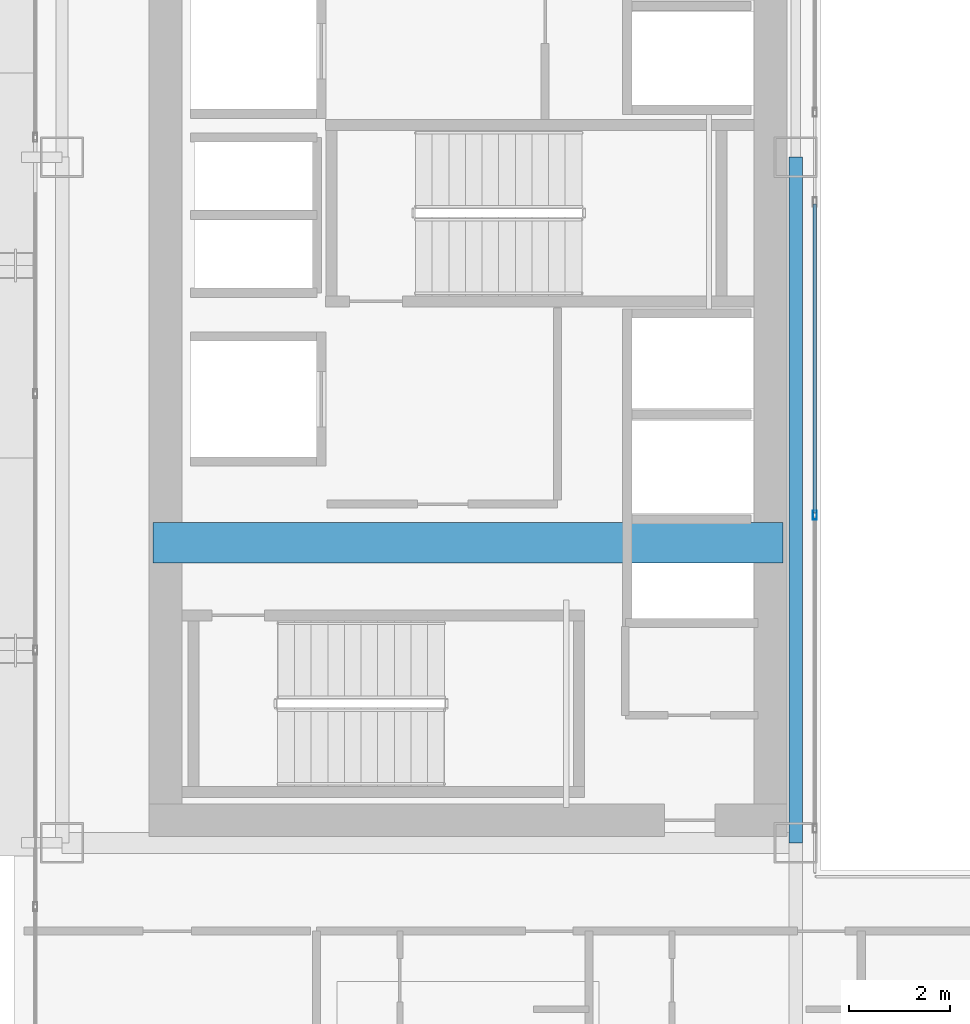
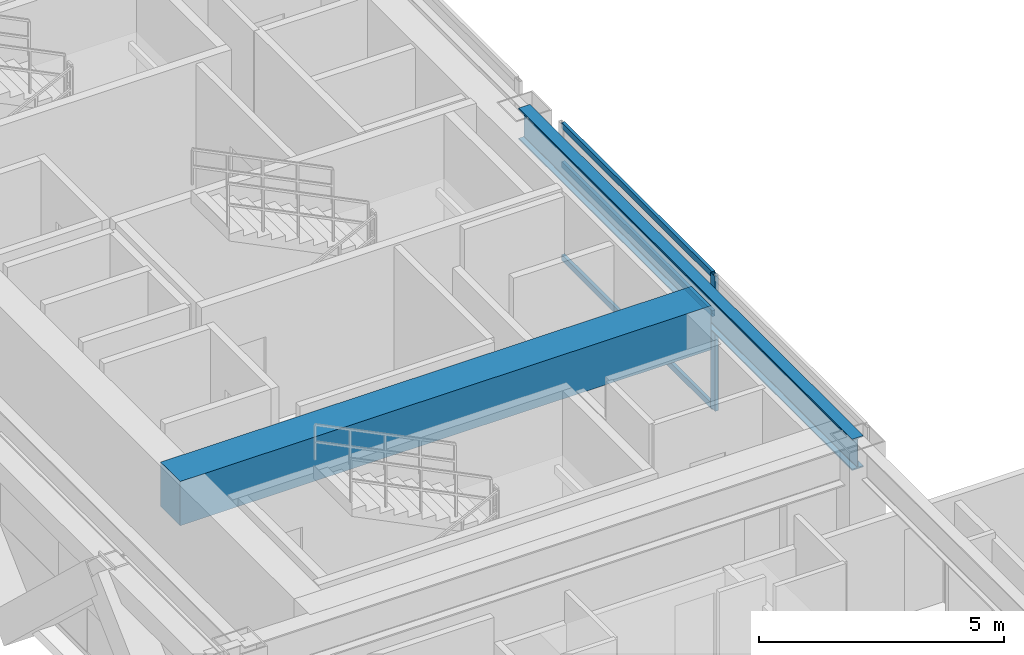
# One storey, part 8 of 39: 4 members, 2 beams, 1 element without a shape of its own.
"""IFC4 building model written with IfcOpenShell, lengths in metres."""

from ifc_helpers import new_model, si_unit, direction, frame, origin, origin_2d, place, context, subcontext, project, spatial, rectangle, hollow_rectangle, i_section, extrude, source, transform, mapped, material, layer, layer_set, material_profile, profile_set, type_object, element, aggregate, save


model = new_model("IFC4")

# Units and contexts
model_context = context("Model", 3, precision=1e-05, world=origin(), true_north=direction((0.0, 1.0)))
body_context = subcontext(model_context, "Body", "Model", "MODEL_VIEW")
ifc_project = project(units=[si_unit("LENGTHUNIT", "METRE"), si_unit("AREAUNIT", "SQUARE_METRE"), si_unit("VOLUMEUNIT", "CUBIC_METRE"), si_unit("PLANEANGLEUNIT", "RADIAN"), si_unit("MASSUNIT", "GRAM", prefix="KILO")], contexts=[model_context])

# Site, building, storey
site_placement = place(None, origin())
site = spatial("IfcSite", under=ifc_project, at=site_placement, CompositionType="ELEMENT")
building_placement = place(site_placement, origin())
building = spatial("IfcBuilding", under=site, at=building_placement, Name="Ocotamira Hotel", CompositionType="ELEMENT")
storey_placement = place(building_placement, frame((0.0, 0.0, 126.0)))
storey = spatial("IfcBuildingStorey", under=building, at=storey_placement, Name="L31", CompositionType="ELEMENT", Elevation=126.0)

# Beams
ifc_material_1 = material(Name="Concrete C60/75", Category="concrete")
ifc_material_profile_1 = material_profile(ifc_material_1, rectangle(XDim=0.800048828125, YDim=1.10009765625, at=origin_2d()), Name="RC800X1100")
ifc_profile_set_1 = profile_set([ifc_material_profile_1], Name="Concrete C60/75")
beam_type_1 = type_object("IfcBeamType", Name="BM-LINK-RC800", PredefinedType="LINTEL", material=ifc_profile_set_1)
shared_shape_1 = source(origin(), body_context, "Body", "SweptSolid", [
    extrude(rectangle(XDim=0.800048828125, YDim=1.10009765625, at=origin_2d()), origin(), (0.0, 0.0, 1.0), 12.5),
])
beam_1_placement = place(storey_placement, frame((10.75, 20.5, 2.81005859375), z_axis=(1.0, 0.0, 0.0), x_axis=(0.0, 1.0, 0.0)))
element("IfcBeam", 1, at=beam_1_placement, inside=storey, type_object=beam_type_1, Name="L31 West Core Coupling Beam", PredefinedType="LINTEL", context=body_context, shape_type="MappedRepresentation", body=[
    mapped(shared_shape_1, transform((0.0, 0.0, 0.0), scale=1.0)),
])
ifc_material_2 = material(Name="Steel ASTM A992 Grade 50", Category="steel")
ifc_material_profile_2 = material_profile(ifc_material_2, i_section(OverallWidth=0.26611328125, OverallDepth=0.779052734375, WebThickness=0.0166015625, FlangeThickness=0.030029296875, FilletRadius=0.01806640625, at=origin_2d()), Name="W30X148")
ifc_profile_set_2 = profile_set([ifc_material_profile_2], Name="Steel ASTM A992 Grade 50")
beam_type_2 = type_object("IfcBeamType", Name="BM-GIRD-W30X148", PredefinedType="BEAM", material=ifc_profile_set_2)
shared_shape_2 = source(origin(), body_context, "Body", "SweptSolid", [
    extrude(i_section(OverallWidth=0.26611328125, OverallDepth=0.779052734375, WebThickness=0.0166015625, FlangeThickness=0.030029296875, FilletRadius=0.01806640625, at=origin_2d()), origin(), (0.0, 0.0, 1.0), 13.599853515625),
])
beam_2_placement = place(storey_placement, frame((23.5, 14.550048828125, 2.970458984375), z_axis=(0.0, 1.0, 0.0), x_axis=(-1.0, 0.0, 0.0)))
element("IfcBeam", 2, at=beam_2_placement, inside=storey, type_object=beam_type_2, Name="L31 Beam X23.5 Y14.55-28.15", PredefinedType="BEAM", context=body_context, shape_type="MappedRepresentation", body=[
    mapped(shared_shape_2, transform((0.0, 0.0, 0.0), scale=1.0)),
])

# Curtain wall, members
ifc_material_3 = material(Name="Anodised pale-metal aluminium and solar glass", Category="aluminium")
ifc_layer = layer(ifc_material_3, 0.159912109375)
ifc_layer_set = layer_set([ifc_layer], Name="Anodised pale-metal aluminium and solar glass")
curtain_wall_type = type_object("IfcCurtainWallType", Name="CW-SYS6-ATR", PredefinedType="NOTDEFINED", material=ifc_layer_set)
curtain_wall_placement = place(storey_placement, origin())
curtain_wall = element("IfcCurtainWall", 3, at=curtain_wall_placement, inside=storey, type_object=curtain_wall_type, Name="L31 Curtain Wall CW-6 CW-L31-ATRW1", PredefinedType="NOTDEFINED")
ifc_material_4 = material(Name="Anodised pale-metal aluminium 6063-T6", Category="aluminium")
ifc_material_profile_3 = material_profile(ifc_material_4, hollow_rectangle(XDim=0.074951171875, YDim=0.14990234375, WallThickness=0.006103515625, at=origin_2d()), Name="HSS150X75X6")
ifc_profile_set_3 = profile_set([ifc_material_profile_3], Name="Anodised pale-metal aluminium 6063-T6")
member_type_1 = type_object("IfcMemberType", Name="CWT-150X75", PredefinedType="USERDEFINED", material=ifc_profile_set_3)
shared_shape_3 = source(origin(), body_context, "Body", "SweptSolid", [
    extrude(hollow_rectangle(XDim=0.074951171875, YDim=0.14990234375, WallThickness=0.006103515625, at=origin_2d()), origin(), (0.0, 0.0, 1.0), 6.1298828125),
])
member_1_placement = place(storey_placement, frame((23.8798828125, 21.090087890625, 0.03759765625), z_axis=(0.0, 1.0, 0.0), x_axis=(-1.0, 0.0, 0.0)))
member_1 = element("IfcMember", 4, at=member_1_placement, type_object=member_type_1, Name="CW-6 transom 2.1", ObjectType="TRANSOM", PredefinedType="USERDEFINED", context=body_context, shape_type="MappedRepresentation", body=[
    mapped(shared_shape_3, transform((0.0, 0.0, 0.0), scale=1.0)),
])
member_2_placement = place(storey_placement, frame((23.8798828125, 21.090087890625, 2.35009765625), z_axis=(0.0, 1.0, 0.0), x_axis=(-1.0, 0.0, 0.0)))
member_2 = element("IfcMember", 5, at=member_2_placement, type_object=member_type_1, Name="CW-6 transom 2.2", ObjectType="TRANSOM", PredefinedType="USERDEFINED", context=body_context, shape_type="MappedRepresentation", body=[
    mapped(shared_shape_3, transform((0.0, 0.0, 0.0), scale=1.0)),
])
member_3_placement = place(storey_placement, frame((23.8798828125, 21.090087890625, 3.322509765625), z_axis=(0.0, 1.0, 0.0), x_axis=(-1.0, 0.0, 0.0)))
member_3 = element("IfcMember", 6, at=member_3_placement, type_object=member_type_1, Name="CW-6 transom 2.3", ObjectType="TRANSOM", PredefinedType="USERDEFINED", context=body_context, shape_type="MappedRepresentation", body=[
    mapped(shared_shape_3, transform((0.0, 0.0, 0.0), scale=1.0)),
])
ifc_material_profile_4 = material_profile(ifc_material_4, hollow_rectangle(XDim=0.080078125, YDim=0.179931640625, WallThickness=0.006103515625, at=origin_2d()), Name="HSS180X80X6")
ifc_profile_set_4 = profile_set([ifc_material_profile_4], Name="Anodised pale-metal aluminium 6063-T6")
member_type_2 = type_object("IfcMemberType", Name="CWM-180X75", PredefinedType="MULLION", material=ifc_profile_set_4)
shared_shape_4 = source(origin(), body_context, "Body", "SweptSolid", [
    extrude(hollow_rectangle(XDim=0.080078125, YDim=0.179931640625, WallThickness=0.006103515625, at=origin_2d()), origin(), (0.0, 0.0, 1.0), 3.360107421875),
])
member_4_placement = place(storey_placement, frame((23.8798828125, 21.050048828125, 0.0), z_axis=(0.0, 0.0, 1.0), x_axis=(-1.0, 0.0, 0.0)))
member_4 = element("IfcMember", 7, at=member_4_placement, type_object=member_type_2, Name="CW-6 mullion 2", PredefinedType="MULLION", context=body_context, shape_type="MappedRepresentation", body=[
    mapped(shared_shape_4, transform((0.0, 0.0, 0.0), scale=1.0)),
])
aggregate(curtain_wall, [member_4, member_1, member_2, member_3])

save(model, "model.ifc")
